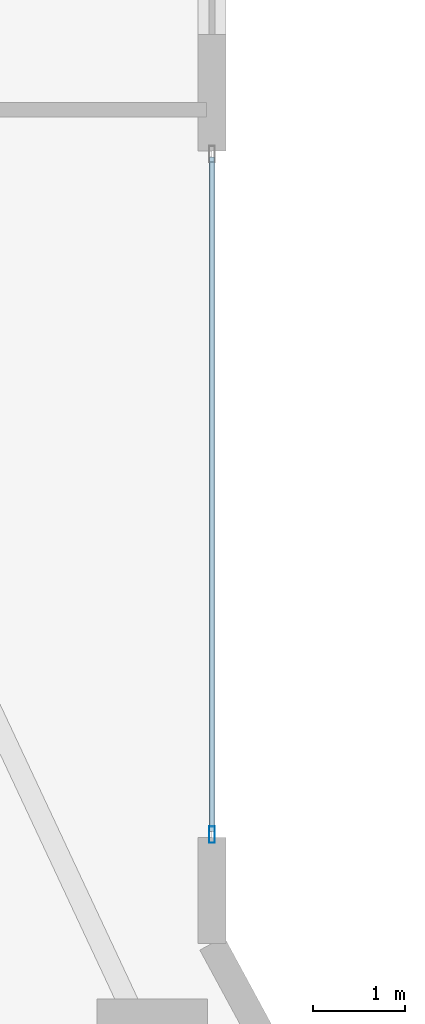
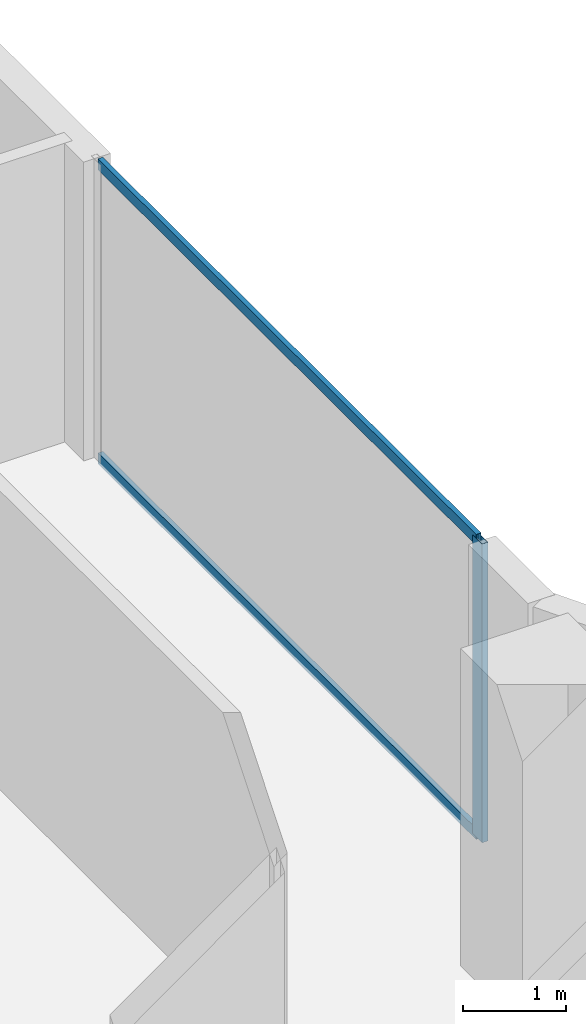
# One storey, part 14 of 32: 3 members, 1 element without a shape of its own.
"""IFC4 building model written with IfcOpenShell, lengths in metres."""

from ifc_helpers import new_model, si_unit, direction, frame, origin, origin_2d, place, context, subcontext, project, spatial, hollow_rectangle, extrude, material, layer, layer_set, material_profile, profile_set, type_object, element, aggregate, save


model = new_model("IFC4")

# Units and contexts
model_context = context("Model", 3, precision=1e-05, world=origin(), true_north=direction((0.0, 1.0)))
body_context = subcontext(model_context, "Body", "Model", "MODEL_VIEW")
ifc_project = project(units=[si_unit("LENGTHUNIT", "METRE"), si_unit("AREAUNIT", "SQUARE_METRE"), si_unit("VOLUMEUNIT", "CUBIC_METRE"), si_unit("PLANEANGLEUNIT", "RADIAN"), si_unit("MASSUNIT", "GRAM", prefix="KILO")], contexts=[model_context])

# Site, building, storey
site_placement = place(None, origin())
site = spatial("IfcSite", under=ifc_project, at=site_placement, CompositionType="ELEMENT")
building_placement = place(site_placement, origin())
building = spatial("IfcBuilding", under=site, at=building_placement, Name="Zuhayl Quay Hotel", CompositionType="ELEMENT")
storey_placement = place(building_placement, frame((0.0, 0.0, 188.64990234375)))
storey = spatial("IfcBuildingStorey", under=building, at=storey_placement, Name="L47", CompositionType="ELEMENT", Elevation=188.64990234375)

# Curtain wall, members
ifc_material_1 = material(Name="Anodised Aluminium 6063-T6", Category="aluminium")
ifc_layer = layer(ifc_material_1, 0.175048828125, Name="Anodised Aluminium 6063-T6", Category="aluminium")
ifc_layer_set = layer_set([ifc_layer], Name="Anodised Aluminium 6063-T6")
curtain_wall_type = type_object("IfcCurtainWallType", Name="CW_SYS_Z3", PredefinedType="USERDEFINED", material=ifc_layer_set)
curtain_wall_placement = place(storey_placement, origin())
curtain_wall = element("IfcCurtainWall", 1, at=curtain_wall_placement, inside=storey, type_object=curtain_wall_type, Name="L47 Curtain Wall ENV_L47_E11_CW1", ObjectType="UNITISED CURTAIN WALL", PredefinedType="USERDEFINED")
ifc_material_2 = material(Name="Black-anodised aluminium 6063-T6", Category="aluminium")
ifc_material_profile_1 = material_profile(ifc_material_2, hollow_rectangle(XDim=0.06494140625, YDim=0.179931640625, WallThickness=0.00341796875, at=origin_2d()), Name="ALU180X65")
ifc_profile_set_1 = profile_set([ifc_material_profile_1], Name="Black-anodised aluminium 6063-T6")
member_type_1 = type_object("IfcMemberType", Name="MB_CW_MUL_180", PredefinedType="MULLION", material=ifc_profile_set_1)
member_1_placement = place(storey_placement, frame((22.10009765625, 18.982421875, 0.0), z_axis=(0.0, 0.0, 1.0), x_axis=(1.0, 0.0, 0.0)))
member_1 = element("IfcMember", 2, at=member_1_placement, type_object=member_type_1, Name="CW-Z3 mullion 2", PredefinedType="MULLION", context=body_context, shape_type="SweptSolid", body=[
    extrude(hollow_rectangle(XDim=0.06494140625, YDim=0.179931640625, WallThickness=0.00341796875, at=origin_2d()), origin(), (0.0, 0.0, 1.0), 3.530029296875),
])
ifc_material_profile_2 = material_profile(ifc_material_2, hollow_rectangle(XDim=0.054931640625, YDim=0.1298828125, WallThickness=0.0029296875, at=origin_2d()), Name="ALU130X55")
ifc_profile_set_2 = profile_set([ifc_material_profile_2], Name="Black-anodised aluminium 6063-T6")
member_type_2 = type_object("IfcMemberType", Name="MB_CW_TRN_130", PredefinedType="USERDEFINED", material=ifc_profile_set_2)
member_2_placement = place(storey_placement, frame((22.10009765625, 26.3349609375, 0.027587890625), z_axis=(0.0, -1.0, 0.0), x_axis=(1.0, 0.0, 0.0)))
member_2 = element("IfcMember", 3, at=member_2_placement, type_object=member_type_2, Name="CW-Z3 transom 1.1", ObjectType="TRANSOM", PredefinedType="USERDEFINED", context=body_context, shape_type="SweptSolid", body=[
    extrude(hollow_rectangle(XDim=0.054931640625, YDim=0.1298828125, WallThickness=0.0029296875, at=origin_2d()), origin(), (0.0, 0.0, 1.0), 7.320068359375),
])
member_3_placement = place(storey_placement, frame((22.10009765625, 26.3349609375, 3.502685546875), z_axis=(0.0, -1.0, 0.0), x_axis=(1.0, 0.0, 0.0)))
member_3 = element("IfcMember", 4, at=member_3_placement, type_object=member_type_2, Name="CW-Z3 transom 1.2", ObjectType="TRANSOM", PredefinedType="USERDEFINED", context=body_context, shape_type="SweptSolid", body=[
    extrude(hollow_rectangle(XDim=0.054931640625, YDim=0.1298828125, WallThickness=0.0029296875, at=origin_2d()), origin(), (0.0, 0.0, 1.0), 7.320068359375),
])
aggregate(curtain_wall, [member_1, member_2, member_3])

save(model, "model.ifc")
